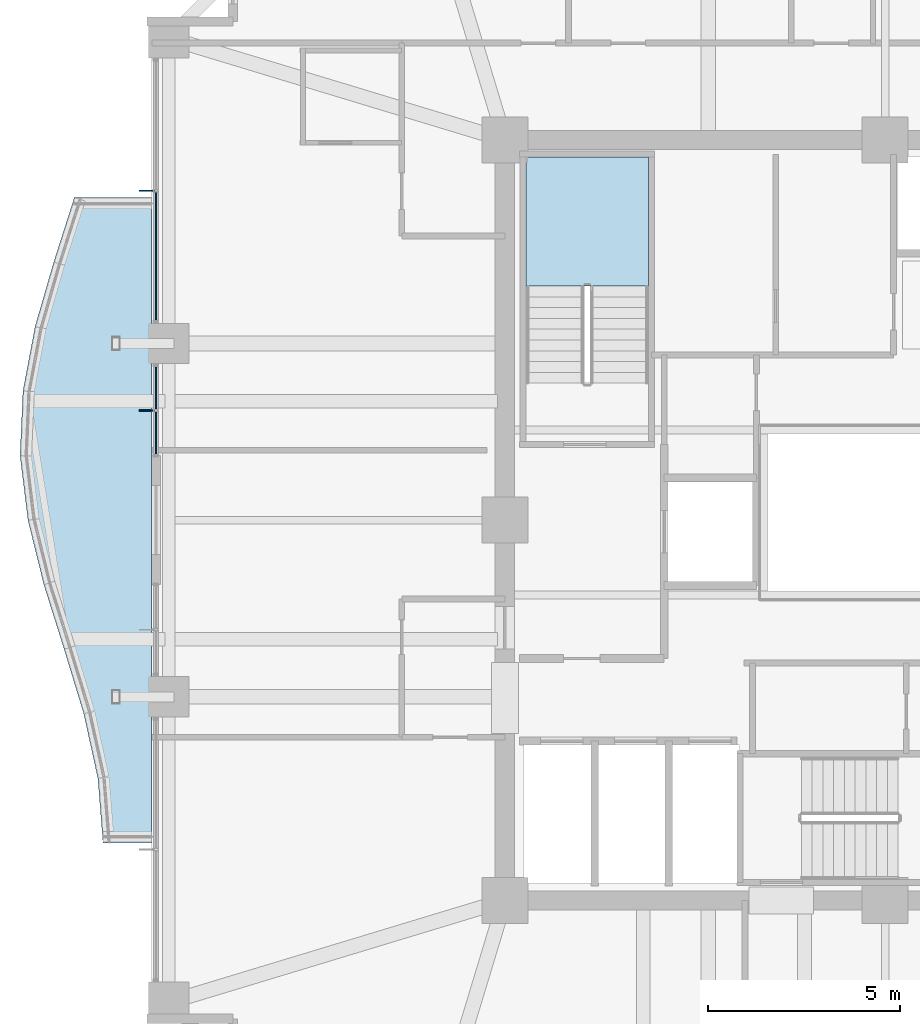
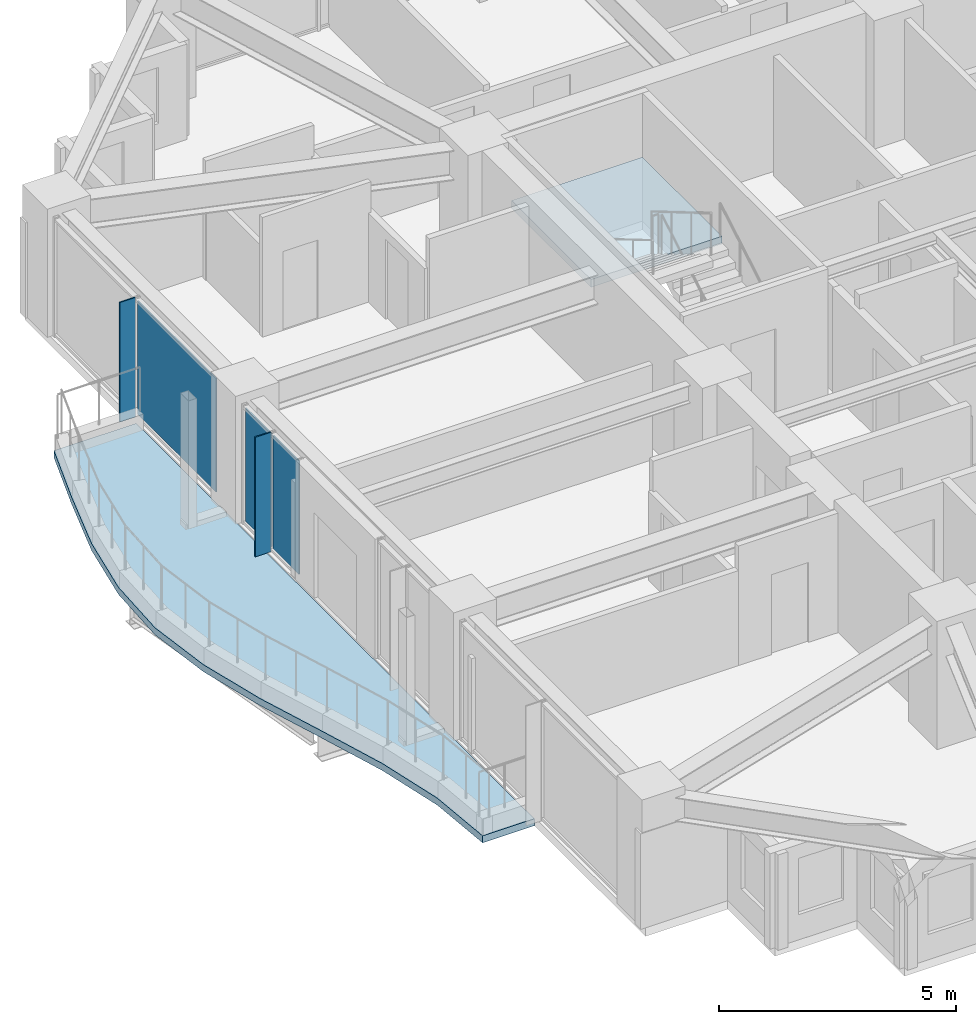
# One storey, part 27 of 38: 5 plates, 2 slabs, 3 elements without a shape of their own.
"""IFC4 building model written with IfcOpenShell, lengths in metres."""

from ifc_helpers import new_model, si_unit, direction, frame, origin, origin_2d, place, context, subcontext, project, spatial, polyline, rectangle, outline, extrude, material, layer, layer_set, type_object, element, aggregate, save


model = new_model("IFC4")

# Units and contexts
model_context = context("Model", 3, precision=1e-05, world=origin(), true_north=direction((0.0, 1.0)))
body_context = subcontext(model_context, "Body", "Model", "MODEL_VIEW")
ifc_project = project(units=[si_unit("LENGTHUNIT", "METRE"), si_unit("AREAUNIT", "SQUARE_METRE"), si_unit("VOLUMEUNIT", "CUBIC_METRE"), si_unit("PLANEANGLEUNIT", "RADIAN"), si_unit("MASSUNIT", "GRAM", prefix="KILO")], contexts=[model_context])

# Site, building, storey
site_placement = place(None, origin())
site = spatial("IfcSite", under=ifc_project, at=site_placement, CompositionType="ELEMENT")
building_placement = place(site_placement, origin())
building = spatial("IfcBuilding", under=site, at=building_placement, Name="Kolvaren Belvedere", CompositionType="ELEMENT")
storey_placement = place(building_placement, frame((0.0, 0.0, 121.699951171875)))
storey = spatial("IfcBuildingStorey", under=building, at=storey_placement, Name="L35", CompositionType="ELEMENT", Elevation=121.699951171875)

# Curtain wall, plates
ifc_material_1 = material(Name="Anodised pale-metal aluminium AA 6063-T6", Category="aluminium")
curtain_wall_type = type_object("IfcCurtainWallType", Name="CW-Z3-WAIST", PredefinedType="NOTDEFINED", material=ifc_material_1)
curtain_wall_1_placement = place(storey_placement, origin())
curtain_wall_1 = element("IfcCurtainWall", 1, at=curtain_wall_1_placement, inside=storey, type_object=curtain_wall_type, Name="L35 Unitised Curtain Wall FCW-L35-W2-B1", PredefinedType="NOTDEFINED")
ifc_material_2 = material(Name="Low-iron triple insulated glass", Category="glass")
ifc_layer_1 = layer(ifc_material_2, 0.028076171875)
ifc_layer_set_1 = layer_set([ifc_layer_1], Name="Low-iron triple insulated glass")
plate_type_1 = type_object("IfcPlateType", Name="CW-PNL-VIS28", PredefinedType="CURTAIN_PANEL", material=ifc_layer_set_1)
plate_1_placement = place(storey_placement, frame((-18.97998046875, 2.265625, 0.080078125), z_axis=(0.0, 0.0, 1.0), x_axis=(0.0, 1.0, 0.0)))
plate_1 = element("IfcPlate", 2, at=plate_1_placement, type_object=plate_type_1, Name="FCW-L35-W2-B1 Vision Glazing Panel 1", PredefinedType="CURTAIN_PANEL", context=body_context, shape_type="SweptSolid", body=[
    extrude(rectangle(XDim=1.09130859375, YDim=0.028076171875, at=origin_2d()), origin(), (0.0, 0.0, 1.0), 2.919921875),
])
plate_2_placement = place(storey_placement, frame((-18.97998046875, 3.43701171875, 0.080078125), z_axis=(0.0, 0.0, 1.0), x_axis=(0.0, 1.0, 0.0)))
plate_2 = element("IfcPlate", 3, at=plate_2_placement, type_object=plate_type_1, Name="FCW-L35-W2-B1 Vision Glazing Panel 2", PredefinedType="CURTAIN_PANEL", context=body_context, shape_type="SweptSolid", body=[
    extrude(rectangle(XDim=1.09130859375, YDim=0.028076171875, at=origin_2d()), origin(), (0.0, 0.0, 1.0), 2.919921875),
])
aggregate(curtain_wall_1, [plate_1, plate_2])

# Curtain wall, plate
curtain_wall_2_placement = place(storey_placement, origin())
curtain_wall_2 = element("IfcCurtainWall", 4, at=curtain_wall_2_placement, inside=storey, type_object=curtain_wall_type, Name="L35 Unitised Curtain Wall FCW-L35-W2-B2", PredefinedType="NOTDEFINED")
plate_3_placement = place(storey_placement, frame((-18.97998046875, 6.876220703125, 0.080078125), z_axis=(0.0, 0.0, 1.0), x_axis=(0.0, 1.0, 0.0)))
plate_3 = element("IfcPlate", 5, at=plate_3_placement, type_object=plate_type_1, Name="FCW-L35-W2-B2 Vision Glazing Panel 1", PredefinedType="CURTAIN_PANEL", context=body_context, shape_type="SweptSolid", body=[
    extrude(rectangle(XDim=3.3173828125, YDim=0.028076171875, at=origin_2d()), origin(), (0.0, 0.0, 1.0), 2.919921875),
])
aggregate(curtain_wall_2, [plate_3])

# Plates
ifc_material_3 = material(Name="Anodised pale-metal aluminium AA 6063-T6", Category="aluminium")
ifc_layer_2 = layer(ifc_material_3, 0.033935546875)
ifc_layer_set_2 = layer_set([ifc_layer_2], Name="Anodised pale-metal aluminium AA 6063-T6")
plate_type_2 = type_object("IfcPlateType", Name="FIN-VERT-380", PredefinedType="USERDEFINED", material=ifc_layer_set_2)
for number, where, z_axis, x_axis, name in (
    (6, (-19.219970703125, 2.851318359375, 0.0), (0.0, 0.0, 1.0), (1.0, 0.0, 0.0), "L35 Pale-Metal Vertical Shading Fin FCW-L35-W2-B1-1"),
    (7, (-19.219970703125, 8.574951171875, 0.0), (0.0, 0.0, 1.0), (1.0, 0.0, 0.0), "L35 Pale-Metal Vertical Shading Fin FCW-L35-W2-B2-1"),
):
    element("IfcPlate", number, at=place(storey_placement, frame(where, z_axis=z_axis, x_axis=x_axis)), inside=storey, type_object=plate_type_2, Name=name, ObjectType="VERTICAL FIN", PredefinedType="USERDEFINED", context=body_context, shape_type="SweptSolid", body=[
        extrude(rectangle(XDim=0.3798828125, YDim=0.033935546875, at=origin_2d()), origin(), (0.0, 0.0, 1.0), 3.080078125),
    ])

# Slab
ifc_material_4 = material(Name="Concrete C50/60", Category="concrete")
ifc_layer_3 = layer(ifc_material_4, 0.179931640625)
ifc_layer_set_3 = layer_set([ifc_layer_3], Name="Concrete C50/60")
slab_type_1 = type_object("IfcSlabType", Name="SL-BAL-180", PredefinedType="FLOOR", material=ifc_layer_set_3)
slab_1_placement = place(storey_placement, frame((0.0, 0.0, -0.219970703125)))
element("IfcSlab", 8, at=slab_1_placement, inside=storey, type_object=slab_type_1, Name="L35 Planted Balcony BAL-W", PredefinedType="FLOOR", context=body_context, shape_type="SweptSolid", body=[
    extrude(outline(polyline([(-21.106201171875, 8.39990234375), (-21.642333984375, 6.719970703125), (-22.12841796875, 5.0400390625), (-22.444091796875, 3.360107421875), (-22.52001953125, 1.679931640625), (-22.313720703125, 0.0), (-21.89990234375, -1.679931640625), (-21.372314453125, -3.360107421875), (-20.861328125, -5.0400390625), (-20.49365234375, -6.719970703125), (-20.360107421875, -8.39990234375), (-19.10009765625, -8.39990234375), (-19.10009765625, -6.719970703125), (-19.10009765625, -5.0400390625), (-19.10009765625, -3.360107421875), (-19.10009765625, -1.679931640625), (-19.10009765625, 0.0), (-19.10009765625, 1.679931640625), (-19.10009765625, 3.360107421875), (-19.10009765625, 5.0400390625), (-19.10009765625, 6.719970703125), (-19.10009765625, 8.39990234375), (-21.106201171875, 8.39990234375)])), origin(), (0.0, 0.0, 1.0), 0.179931640625),
])

# Stair, slab
ifc_material_5 = material(Name="Concrete C50/60", Category="concrete")
stair_type = type_object("IfcStairType", Name="ST-CORE-1520", PredefinedType="HALF_TURN_STAIR", material=ifc_material_5)
stair_placement = place(storey_placement, origin())
stair = element("IfcStair", 9, at=stair_placement, inside=storey, type_object=stair_type, Name="L35 Protected Exit Stair ST-1", PredefinedType="HALF_TURN_STAIR")
ifc_material_6 = material(Name="Concrete C50/60", Category="concrete")
ifc_layer_4 = layer(ifc_material_6, 0.260009765625)
ifc_layer_set_4 = layer_set([ifc_layer_4], Name="Concrete C50/60")
slab_type_2 = type_object("IfcSlabType", Name="SL-LAND-260", PredefinedType="LANDING", material=ifc_layer_set_4)
slab_2_placement = place(storey_placement, frame((0.0, 0.0, 1.449951171875)))
slab_2 = element("IfcSlab", 10, at=slab_2_placement, type_object=slab_type_2, Name="ST-1 landing 1", PredefinedType="LANDING", context=body_context, shape_type="SweptSolid", body=[
    extrude(outline(polyline([(-6.159912109375, 6.090087890625), (-6.159912109375, 9.449951171875), (-9.35009765625, 9.449951171875), (-9.35009765625, 6.090087890625), (-6.159912109375, 6.090087890625)])), origin(), (0.0, 0.0, 1.0), 0.2001953125),
])
aggregate(stair, [slab_2])

save(model, "model.ifc")
